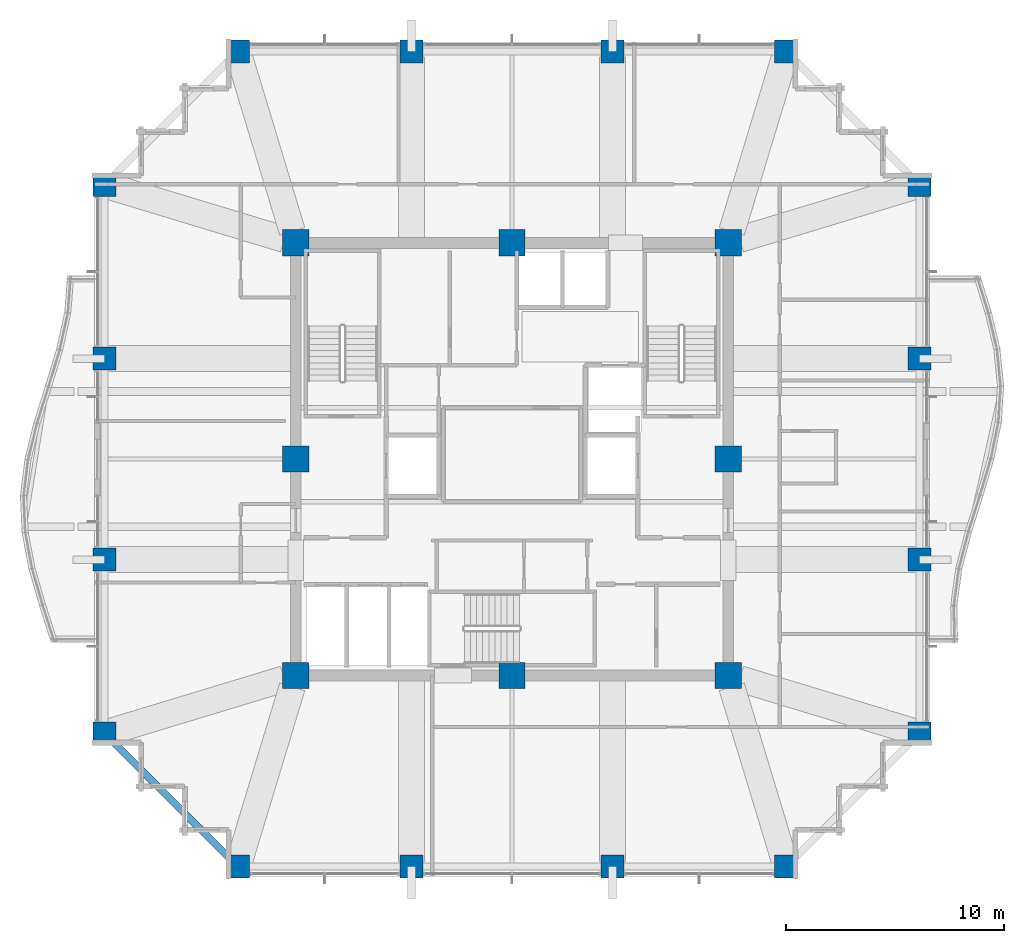
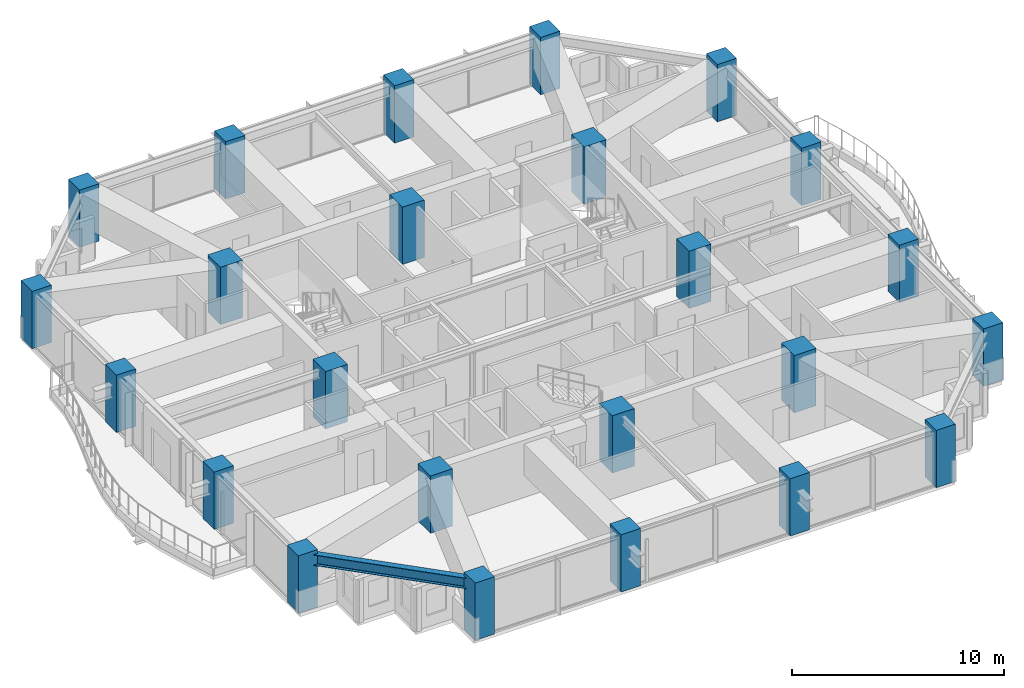
# One storey, part 1 of 36: 24 columns, 1 beam.
"""IFC4 building model written with IfcOpenShell, lengths in metres."""

from ifc_helpers import new_model, si_unit, direction, frame, origin, origin_2d, place, context, subcontext, project, spatial, rectangle, i_section, extrude, material, material_profile, profile_set, type_object, element, save


model = new_model("IFC4")

# Units and contexts
model_context = context("Model", 3, precision=1e-05, world=origin(), true_north=direction((0.0, 1.0)))
body_context = subcontext(model_context, "Body", "Model", "MODEL_VIEW")
ifc_project = project(units=[si_unit("LENGTHUNIT", "METRE"), si_unit("AREAUNIT", "SQUARE_METRE"), si_unit("VOLUMEUNIT", "CUBIC_METRE"), si_unit("PLANEANGLEUNIT", "RADIAN"), si_unit("MASSUNIT", "GRAM", prefix="KILO")], contexts=[model_context])

# Site, building, storey
site_placement = place(None, origin())
site = spatial("IfcSite", under=ifc_project, at=site_placement, CompositionType="ELEMENT")
building_placement = place(site_placement, origin())
building = spatial("IfcBuilding", under=site, at=building_placement, Name="Kolvaren Belvedere", CompositionType="ELEMENT")
storey_placement = place(building_placement, frame((0.0, 0.0, 108.5)))
storey = spatial("IfcBuildingStorey", under=building, at=storey_placement, Name="L31", CompositionType="ELEMENT", Elevation=108.5)

# Columns
ifc_material_1 = material(Name="Concrete C50/60", Category="concrete")
ifc_material_profile_1 = material_profile(ifc_material_1, rectangle(XDim=1.050048828125, YDim=1.050048828125, at=origin_2d()), Name="RC 1050X1050")
ifc_profile_set_1 = profile_set([ifc_material_profile_1], Name="Concrete C50/60")
column_type_1 = type_object("IfcColumnType", Name="COL-RC-1050", PredefinedType="COLUMN", material=ifc_profile_set_1)
for number, where, z_axis, x_axis, name in (
    (1, (-12.550048828125, -18.64990234375, 0.0), (0.0, 0.0, 1.0), (1.0, 0.0, 0.0), "L31 Perimeter Column S1"),
    (2, (-4.60009765625, -18.64990234375, 0.0), (0.0, 0.0, 1.0), (1.0, 0.0, 0.0), "L31 Perimeter Column S2"),
    (3, (4.60009765625, -18.64990234375, 0.0), (0.0, 0.0, 1.0), (1.0, 0.0, 0.0), "L31 Perimeter Column S3"),
    (4, (12.550048828125, -18.64990234375, 0.0), (0.0, 0.0, 1.0), (1.0, 0.0, 0.0), "L31 Perimeter Column S4"),
    (5, (-12.550048828125, 18.64990234375, 0.0), (0.0, 0.0, 1.0), (1.0, 0.0, 0.0), "L31 Perimeter Column N1"),
    (6, (-4.60009765625, 18.64990234375, 0.0), (0.0, 0.0, 1.0), (1.0, 0.0, 0.0), "L31 Perimeter Column N2"),
    (7, (4.60009765625, 18.64990234375, 0.0), (0.0, 0.0, 1.0), (1.0, 0.0, 0.0), "L31 Perimeter Column N3"),
    (8, (12.550048828125, 18.64990234375, 0.0), (0.0, 0.0, 1.0), (1.0, 0.0, 0.0), "L31 Perimeter Column N4"),
    (9, (-18.64990234375, -12.550048828125, 0.0), (0.0, 0.0, 1.0), (1.0, 0.0, 0.0), "L31 Perimeter Column W1"),
    (10, (-18.64990234375, -4.60009765625, 0.0), (0.0, 0.0, 1.0), (1.0, 0.0, 0.0), "L31 Perimeter Column W2"),
    (11, (-18.64990234375, 4.60009765625, 0.0), (0.0, 0.0, 1.0), (1.0, 0.0, 0.0), "L31 Perimeter Column W3"),
    (12, (-18.64990234375, 12.550048828125, 0.0), (0.0, 0.0, 1.0), (1.0, 0.0, 0.0), "L31 Perimeter Column W4"),
    (13, (18.64990234375, -12.550048828125, 0.0), (0.0, 0.0, 1.0), (1.0, 0.0, 0.0), "L31 Perimeter Column E1"),
    (14, (18.64990234375, -4.60009765625, 0.0), (0.0, 0.0, 1.0), (1.0, 0.0, 0.0), "L31 Perimeter Column E2"),
    (15, (18.64990234375, 4.60009765625, 0.0), (0.0, 0.0, 1.0), (1.0, 0.0, 0.0), "L31 Perimeter Column E3"),
    (16, (18.64990234375, 12.550048828125, 0.0), (0.0, 0.0, 1.0), (1.0, 0.0, 0.0), "L31 Perimeter Column E4"),
):
    element("IfcColumn", number, at=place(storey_placement, frame(where, z_axis=z_axis, x_axis=x_axis)), inside=storey, type_object=column_type_1, Name=name, PredefinedType="COLUMN", context=body_context, shape_type="SweptSolid", body=[
        extrude(rectangle(XDim=1.050048828125, YDim=1.050048828125, at=origin_2d()), origin(), (0.0, 0.0, 1.0), 3.300048828125),
    ])
ifc_material_2 = material(Name="Concrete C60/75", Category="concrete")
ifc_material_profile_2 = material_profile(ifc_material_2, rectangle(XDim=1.199951171875, YDim=1.199951171875, at=origin_2d()), Name="RC 1200X1200")
ifc_profile_set_2 = profile_set([ifc_material_profile_2], Name="Concrete C60/75")
column_type_2 = type_object("IfcColumnType", Name="COL-RC-1200", PredefinedType="COLUMN", material=ifc_profile_set_2)
for number, where, z_axis, x_axis, name in (
    (17, (-9.89990234375, -9.89990234375, 0.0), (0.0, 0.0, 1.0), (1.0, 0.0, 0.0), "L31 Core Column CC1"),
    (18, (9.89990234375, -9.89990234375, 0.0), (0.0, 0.0, 1.0), (1.0, 0.0, 0.0), "L31 Core Column CC2"),
    (19, (9.89990234375, 9.89990234375, 0.0), (0.0, 0.0, 1.0), (1.0, 0.0, 0.0), "L31 Core Column CC3"),
    (20, (-9.89990234375, 9.89990234375, 0.0), (0.0, 0.0, 1.0), (1.0, 0.0, 0.0), "L31 Core Column CC4"),
    (21, (0.0, -9.89990234375, 0.0), (0.0, 0.0, 1.0), (1.0, 0.0, 0.0), "L31 Core Column CM1"),
    (22, (9.89990234375, 0.0, 0.0), (0.0, 0.0, 1.0), (1.0, 0.0, 0.0), "L31 Core Column CM2"),
    (23, (0.0, 9.89990234375, 0.0), (0.0, 0.0, 1.0), (1.0, 0.0, 0.0), "L31 Core Column CM3"),
    (24, (-9.89990234375, 0.0, 0.0), (0.0, 0.0, 1.0), (1.0, 0.0, 0.0), "L31 Core Column CM4"),
):
    element("IfcColumn", number, at=place(storey_placement, frame(where, z_axis=z_axis, x_axis=x_axis)), inside=storey, type_object=column_type_2, Name=name, PredefinedType="COLUMN", context=body_context, shape_type="SweptSolid", body=[
        extrude(rectangle(XDim=1.199951171875, YDim=1.199951171875, at=origin_2d()), origin(), (0.0, 0.0, 1.0), 3.300048828125),
    ])

# Beam
ifc_material_3 = material(Name="Structural steel ASTM A992 Grade 50", Category="steel")
ifc_material_profile_3 = material_profile(ifc_material_3, i_section(OverallWidth=0.324951171875, OverallDepth=0.615966796875, WebThickness=0.013916015625, FlangeThickness=0.021484375, FilletRadius=0.02001953125, at=origin_2d()), Name="W24X117")
ifc_profile_set_3 = profile_set([ifc_material_profile_3], Name="Structural steel ASTM A992 Grade 50")
beam_type = type_object("IfcBeamType", Name="BM-SPAN-W24X117", PredefinedType="SPANDREL", material=ifc_profile_set_3)
beam_placement = place(storey_placement, frame((-18.48291015625, -12.717041015625, 2.77197265625), z_axis=(0.707106781187, -0.707106781187, 0.0), x_axis=(0.707106781187, 0.707106781187, 0.0)))
element("IfcBeam", 25, at=beam_placement, inside=storey, type_object=beam_type, Name="L31 Perimeter Spandrel W1-S1", PredefinedType="SPANDREL", context=body_context, shape_type="SweptSolid", body=[
    extrude(i_section(OverallWidth=0.324951171875, OverallDepth=0.615966796875, WebThickness=0.013916015625, FlangeThickness=0.021484375, FilletRadius=0.02001953125, at=origin_2d()), origin(), (0.0, 0.0, 1.0), 8.154052734375),
])

save(model, "model.ifc")
